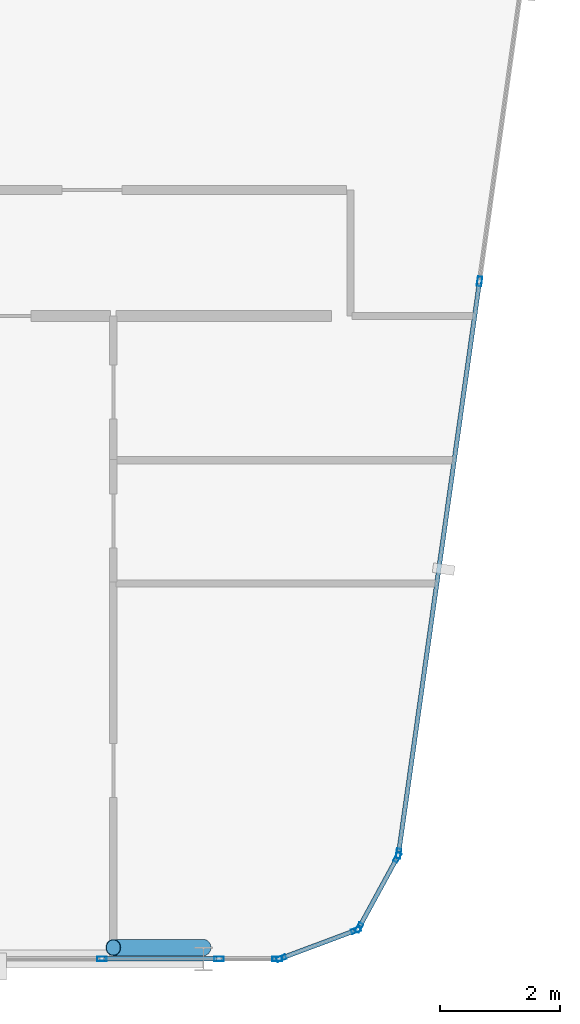
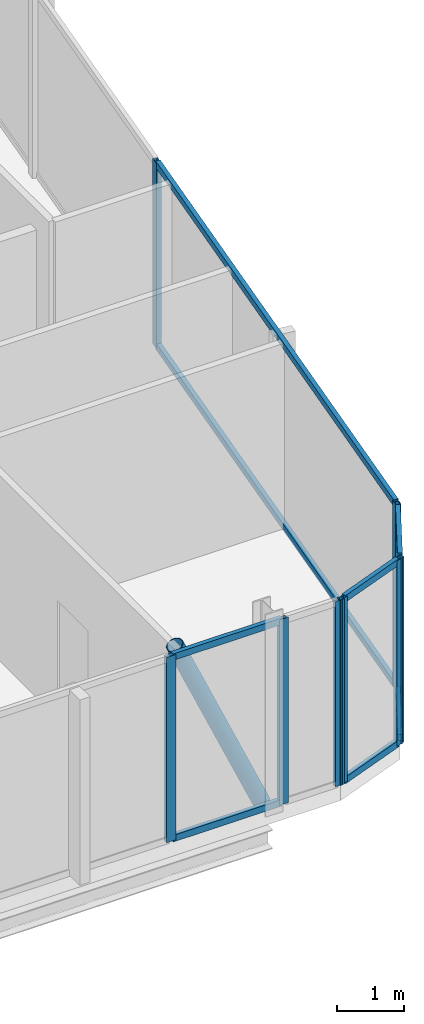
# One storey, part 14 of 30: 18 members, 5 elements without a shape of their own.
"""IFC4 building model written with IfcOpenShell, lengths in metres."""

from ifc_helpers import new_model, si_unit, direction, frame, origin, origin_2d, place, context, subcontext, project, spatial, hollow_rectangle, hollow_circle, extrude, material, layer, layer_set, material_profile, profile_set, type_object, element, aggregate, save


model = new_model("IFC4")

# Units and contexts
model_context = context("Model", 3, precision=1e-05, world=origin(), true_north=direction((0.0, 1.0)))
body_context = subcontext(model_context, "Body", "Model", "MODEL_VIEW")
ifc_project = project(units=[si_unit("LENGTHUNIT", "METRE"), si_unit("AREAUNIT", "SQUARE_METRE"), si_unit("VOLUMEUNIT", "CUBIC_METRE"), si_unit("PLANEANGLEUNIT", "RADIAN"), si_unit("MASSUNIT", "GRAM", prefix="KILO")], contexts=[model_context])

# Site, building, storey
site_placement = place(None, origin())
site = spatial("IfcSite", under=ifc_project, at=site_placement, CompositionType="ELEMENT")
building_placement = place(site_placement, origin())
building = spatial("IfcBuilding", under=site, at=building_placement, Name="Keshet Zoharim Tower", CompositionType="ELEMENT")
storey_placement = place(building_placement, frame((0.0, 0.0, 280.60009765625)))
storey = spatial("IfcBuildingStorey", under=building, at=storey_placement, Name="L70", CompositionType="ELEMENT", Elevation=280.60009765625)

# Curtain wall, members
ifc_material_1 = material(Name="Aluminium 6063-T6", Category="aluminium")
ifc_layer = layer(ifc_material_1, 0.260009765625)
ifc_layer_set = layer_set([ifc_layer], Name="Aluminium 6063-T6")
curtain_wall_type = type_object("IfcCurtainWallType", Name="CW-SYS-06", PredefinedType="NOTDEFINED", material=ifc_layer_set)
curtain_wall_1_placement = place(storey_placement, origin())
curtain_wall_1 = element("IfcCurtainWall", 1, at=curtain_wall_1_placement, inside=storey, type_object=curtain_wall_type, Name="L70 Unitised Curtain Wall 11", PredefinedType="NOTDEFINED")
ifc_material_profile_1 = material_profile(ifc_material_1, hollow_rectangle(XDim=0.074951171875, YDim=0.159912109375, WallThickness=0.00390625, at=origin_2d()), Name="MUL-75x160")
ifc_profile_set_1 = profile_set([ifc_material_profile_1], Name="Aluminium 6063-T6")
member_type_1 = type_object("IfcMemberType", Name="CWM-M15", PredefinedType="MULLION", material=ifc_profile_set_1)
member_1_placement = place(storey_placement, frame((43.595458984375, 17.97607421875, 0.0), z_axis=(0.0, 0.0, 1.0), x_axis=(0.990132057422, -0.140137464177, 0.0)))
member_1 = element("IfcMember", 2, at=member_1_placement, type_object=member_type_1, Name="CW-06 mullion 2", PredefinedType="MULLION", context=body_context, shape_type="SweptSolid", body=[
    extrude(hollow_rectangle(XDim=0.074951171875, YDim=0.159912109375, WallThickness=0.00390625, at=origin_2d()), origin(), (0.0, 0.0, 1.0), 3.389892578125),
])
member_2_placement = place(storey_placement, frame((42.247802734375, 8.45458984375, 0.0), z_axis=(0.0, 0.0, 1.0), x_axis=(0.990132057422, -0.140137464177, 0.0)))
member_2 = element("IfcMember", 3, at=member_2_placement, type_object=member_type_1, Name="CW-06 mullion 3", PredefinedType="MULLION", context=body_context, shape_type="SweptSolid", body=[
    extrude(hollow_rectangle(XDim=0.074951171875, YDim=0.159912109375, WallThickness=0.00390625, at=origin_2d()), origin(), (0.0, 0.0, 1.0), 3.389892578125),
])

curtain_wall_2_placement = place(storey_placement, origin())
curtain_wall_2 = element("IfcCurtainWall", 4, at=curtain_wall_2_placement, inside=storey, type_object=curtain_wall_type, Name="L70 Unitised Curtain Wall 12", PredefinedType="NOTDEFINED")
member_3_placement = place(storey_placement, frame((42.226318359375, 8.38916015625, 0.0), z_axis=(0.0, 0.0, 1.0), x_axis=(0.878468125004, -0.477800955789, 0.0)))
member_3 = element("IfcMember", 5, at=member_3_placement, type_object=member_type_1, Name="CW-06 mullion 1", PredefinedType="MULLION", context=body_context, shape_type="SweptSolid", body=[
    extrude(hollow_rectangle(XDim=0.074951171875, YDim=0.159912109375, WallThickness=0.00390625, at=origin_2d()), origin(), (0.0, 0.0, 1.0), 3.389892578125),
])
member_4_placement = place(storey_placement, frame((41.5908203125, 7.220703125, 0.0), z_axis=(0.0, 0.0, 1.0), x_axis=(0.878468125004, -0.477800955789, 0.0)))
member_4 = element("IfcMember", 6, at=member_4_placement, type_object=member_type_1, Name="CW-06 mullion 2", PredefinedType="MULLION", context=body_context, shape_type="SweptSolid", body=[
    extrude(hollow_rectangle(XDim=0.074951171875, YDim=0.159912109375, WallThickness=0.00390625, at=origin_2d()), origin(), (0.0, 0.0, 1.0), 3.389892578125),
])

curtain_wall_3_placement = place(storey_placement, origin())
curtain_wall_3 = element("IfcCurtainWall", 7, at=curtain_wall_3_placement, inside=storey, type_object=curtain_wall_type, Name="L70 Unitised Curtain Wall 13", PredefinedType="NOTDEFINED")
member_5_placement = place(storey_placement, frame((41.541259765625, 7.177734375, 0.0), z_axis=(0.0, 0.0, 1.0), x_axis=(0.350105315376, -0.936710343781, 0.0)))
member_5 = element("IfcMember", 8, at=member_5_placement, type_object=member_type_1, Name="CW-06 mullion 1", PredefinedType="MULLION", context=body_context, shape_type="SweptSolid", body=[
    extrude(hollow_rectangle(XDim=0.074951171875, YDim=0.159912109375, WallThickness=0.00390625, at=origin_2d()), origin(), (0.0, 0.0, 1.0), 3.389892578125),
])
member_6_placement = place(storey_placement, frame((40.2958984375, 6.712158203125, 0.0), z_axis=(0.0, 0.0, 1.0), x_axis=(0.350105315376, -0.936710343781, 0.0)))
member_6 = element("IfcMember", 9, at=member_6_placement, type_object=member_type_1, Name="CW-06 mullion 2", PredefinedType="MULLION", context=body_context, shape_type="SweptSolid", body=[
    extrude(hollow_rectangle(XDim=0.074951171875, YDim=0.159912109375, WallThickness=0.00390625, at=origin_2d()), origin(), (0.0, 0.0, 1.0), 3.389892578125),
])

curtain_wall_4_placement = place(storey_placement, origin())
curtain_wall_4 = element("IfcCurtainWall", 10, at=curtain_wall_4_placement, inside=storey, type_object=curtain_wall_type, Name="L70 Unitised Curtain Wall 14", PredefinedType="NOTDEFINED")
member_7_placement = place(storey_placement, frame((40.22802734375, 6.699951171875, 0.0), z_axis=(0.0, 0.0, 1.0), x_axis=(0.0, -1.0, 0.0)))
member_7 = element("IfcMember", 11, at=member_7_placement, type_object=member_type_1, Name="CW-06 mullion 1", PredefinedType="MULLION", context=body_context, shape_type="SweptSolid", body=[
    extrude(hollow_rectangle(XDim=0.074951171875, YDim=0.159912109375, WallThickness=0.00390625, at=origin_2d()), origin(), (0.0, 0.0, 1.0), 3.389892578125),
])
member_8_placement = place(storey_placement, frame((39.259765625, 6.699951171875, 0.0), z_axis=(0.0, 0.0, 1.0), x_axis=(0.0, -1.0, 0.0)))
member_8 = element("IfcMember", 12, at=member_8_placement, type_object=member_type_1, Name="CW-06 mullion 2", PredefinedType="MULLION", context=body_context, shape_type="SweptSolid", body=[
    extrude(hollow_rectangle(XDim=0.074951171875, YDim=0.159912109375, WallThickness=0.00390625, at=origin_2d()), origin(), (0.0, 0.0, 1.0), 3.389892578125),
])
aggregate(curtain_wall_4, [member_7, member_8])

# Curtain wall, member
curtain_wall_5_placement = place(storey_placement, origin())
curtain_wall_5 = element("IfcCurtainWall", 13, at=curtain_wall_5_placement, inside=storey, type_object=curtain_wall_type, Name="L70 Unitised Curtain Wall 14 Part 2", PredefinedType="NOTDEFINED")
member_9_placement = place(storey_placement, frame((37.310302734375, 6.699951171875, 0.0), z_axis=(0.0, 0.0, 1.0), x_axis=(0.0, -1.0, 0.0)))
member_9 = element("IfcMember", 14, at=member_9_placement, type_object=member_type_1, Name="CW-06 mullion 2", PredefinedType="MULLION", context=body_context, shape_type="SweptSolid", body=[
    extrude(hollow_rectangle(XDim=0.074951171875, YDim=0.159912109375, WallThickness=0.00390625, at=origin_2d()), origin(), (0.0, 0.0, 1.0), 3.389892578125),
])

# Member
ifc_material_profile_2 = material_profile(ifc_material_1, hollow_rectangle(XDim=0.074951171875, YDim=0.1201171875, WallThickness=0.00390625, at=origin_2d()), Name="TRN-75x120")
ifc_profile_set_2 = profile_set([ifc_material_profile_2], Name="Aluminium 6063-T6")
member_type_2 = type_object("IfcMemberType", Name="CWT-T12", PredefinedType="USERDEFINED", material=ifc_profile_set_2)
member_10_placement = place(storey_placement, frame((43.590576171875, 17.94140625, 0.034912109375), z_axis=(-0.14012154881, -0.990134309859, 0.0), x_axis=(0.990134309859, -0.14012154881, 0.0)))
member_10 = element("IfcMember", 15, at=member_10_placement, type_object=member_type_2, Name="CW-06 transom 2.1", ObjectType="TRANSOM", PredefinedType="USERDEFINED", context=body_context, shape_type="SweptSolid", body=[
    extrude(hollow_rectangle(XDim=0.074951171875, YDim=0.1201171875, WallThickness=0.00390625, at=origin_2d()), origin(), (0.0, 0.0, 1.0), 9.54638671875),
])

member_11_placement = place(storey_placement, frame((43.590576171875, 17.94140625, 3.35498046875), z_axis=(-0.14012154881, -0.990134309859, 0.0), x_axis=(0.990134309859, -0.14012154881, 0.0)))
member_11 = element("IfcMember", 16, at=member_11_placement, type_object=member_type_2, Name="CW-06 transom 2.2", ObjectType="TRANSOM", PredefinedType="USERDEFINED", context=body_context, shape_type="SweptSolid", body=[
    extrude(hollow_rectangle(XDim=0.074951171875, YDim=0.1201171875, WallThickness=0.00390625, at=origin_2d()), origin(), (0.0, 0.0, 1.0), 9.54638671875),
])

aggregate(curtain_wall_1, [member_1, member_2, member_10, member_11])

member_12_placement = place(storey_placement, frame((42.20947265625, 8.3583984375, 0.034912109375), z_axis=(-0.47779293276, -0.878472488701, 0.0), x_axis=(0.878472488701, -0.47779293276, 0.0)))
member_12 = element("IfcMember", 17, at=member_12_placement, type_object=member_type_2, Name="CW-06 transom 1.1", ObjectType="TRANSOM", PredefinedType="USERDEFINED", context=body_context, shape_type="SweptSolid", body=[
    extrude(hollow_rectangle(XDim=0.074951171875, YDim=0.1201171875, WallThickness=0.00390625, at=origin_2d()), origin(), (0.0, 0.0, 1.0), 1.260009765625),
])

member_13_placement = place(storey_placement, frame((42.20947265625, 8.3583984375, 3.35498046875), z_axis=(-0.47779293276, -0.878472488701, 0.0), x_axis=(0.878472488701, -0.47779293276, 0.0)))
member_13 = element("IfcMember", 18, at=member_13_placement, type_object=member_type_2, Name="CW-06 transom 1.2", ObjectType="TRANSOM", PredefinedType="USERDEFINED", context=body_context, shape_type="SweptSolid", body=[
    extrude(hollow_rectangle(XDim=0.074951171875, YDim=0.1201171875, WallThickness=0.00390625, at=origin_2d()), origin(), (0.0, 0.0, 1.0), 1.260009765625),
])

aggregate(curtain_wall_2, [member_3, member_4, member_12, member_13])

member_14_placement = place(storey_placement, frame((41.508544921875, 7.16552734375, 0.034912109375), z_axis=(-0.93673477759, -0.350039935512, 0.0), x_axis=(0.350039935512, -0.93673477759, 0.0)))
member_14 = element("IfcMember", 19, at=member_14_placement, type_object=member_type_2, Name="CW-06 transom 1.1", ObjectType="TRANSOM", PredefinedType="USERDEFINED", context=body_context, shape_type="SweptSolid", body=[
    extrude(hollow_rectangle(XDim=0.074951171875, YDim=0.1201171875, WallThickness=0.00390625, at=origin_2d()), origin(), (0.0, 0.0, 1.0), 1.259521484375),
])

member_15_placement = place(storey_placement, frame((41.508544921875, 7.16552734375, 3.35498046875), z_axis=(-0.93673477759, -0.350039935512, 0.0), x_axis=(0.350039935512, -0.93673477759, 0.0)))
member_15 = element("IfcMember", 20, at=member_15_placement, type_object=member_type_2, Name="CW-06 transom 1.2", ObjectType="TRANSOM", PredefinedType="USERDEFINED", context=body_context, shape_type="SweptSolid", body=[
    extrude(hollow_rectangle(XDim=0.074951171875, YDim=0.1201171875, WallThickness=0.00390625, at=origin_2d()), origin(), (0.0, 0.0, 1.0), 1.259521484375),
])

aggregate(curtain_wall_3, [member_5, member_6, member_14, member_15])

member_16_placement = place(storey_placement, frame((39.224853515625, 6.699951171875, 0.034912109375), z_axis=(-1.0, 0.0, 0.0), x_axis=(0.0, -1.0, 0.0)))
member_16 = element("IfcMember", 21, at=member_16_placement, type_object=member_type_2, Name="CW-06 transom 1.1", ObjectType="TRANSOM", PredefinedType="USERDEFINED", context=body_context, shape_type="SweptSolid", body=[
    extrude(hollow_rectangle(XDim=0.074951171875, YDim=0.1201171875, WallThickness=0.00390625, at=origin_2d()), origin(), (0.0, 0.0, 1.0), 1.879638671875),
])

member_17_placement = place(storey_placement, frame((39.224853515625, 6.699951171875, 3.35498046875), z_axis=(-1.0, 0.0, 0.0), x_axis=(0.0, -1.0, 0.0)))
member_17 = element("IfcMember", 22, at=member_17_placement, type_object=member_type_2, Name="CW-06 transom 1.2", ObjectType="TRANSOM", PredefinedType="USERDEFINED", context=body_context, shape_type="SweptSolid", body=[
    extrude(hollow_rectangle(XDim=0.074951171875, YDim=0.1201171875, WallThickness=0.00390625, at=origin_2d()), origin(), (0.0, 0.0, 1.0), 1.879638671875),
])

aggregate(curtain_wall_5, [member_9, member_16, member_17])

ifc_material_2 = material(Name="Steel S355", Category="steel")
ifc_material_profile_3 = material_profile(ifc_material_2, hollow_circle(Radius=0.136474609375, WallThickness=0.010009765625, at=origin_2d()), Name="CHS273x10")
ifc_profile_set_3 = profile_set([ifc_material_profile_3], Name="Steel S355")
member_type_3 = type_object("IfcMemberType", Name="MB-BR-C273", PredefinedType="BRACE", material=ifc_profile_set_3)
member_18_placement = place(storey_placement, frame((39.0, 6.889892578125, 0.0), z_axis=(-0.40464689807, 0.0, 0.914473011019), x_axis=(0.0, -1.0, 0.0)))
element("IfcMember", 23, at=member_18_placement, inside=storey, type_object=member_type_3, Name="L70 Perimeter Tube Brace 04", PredefinedType="BRACE", context=body_context, shape_type="SweptSolid", body=[
    extrude(hollow_circle(Radius=0.136474609375, WallThickness=0.010009765625, at=origin_2d()), origin(), (0.0, 0.0, 1.0), 3.70703125),
])

save(model, "model.ifc")
